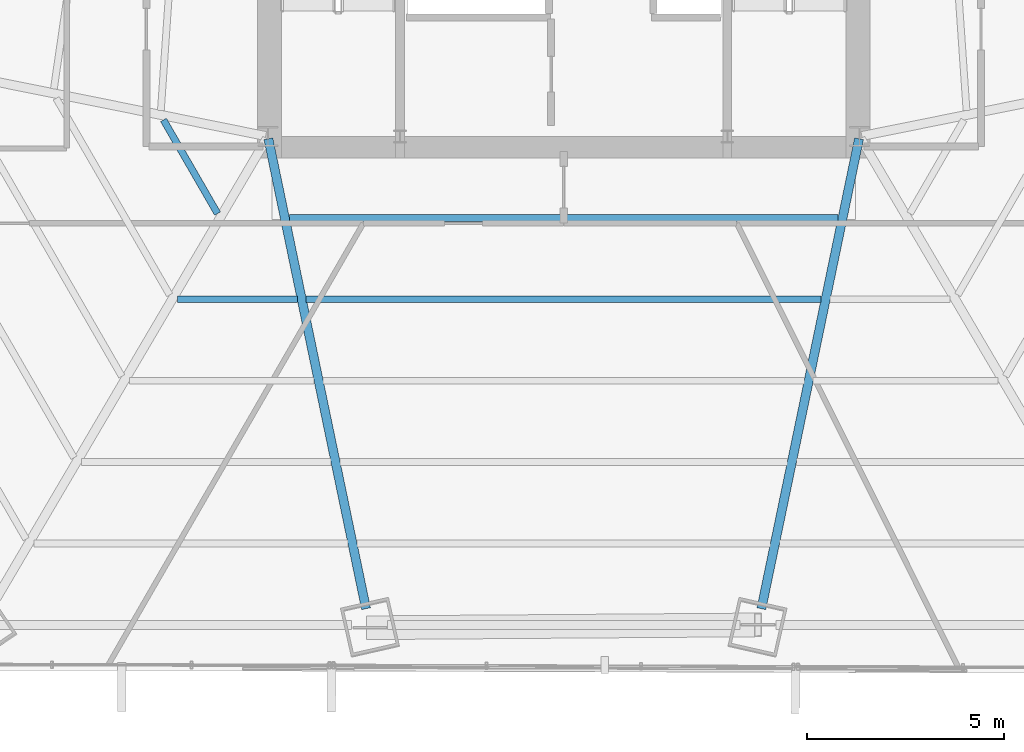
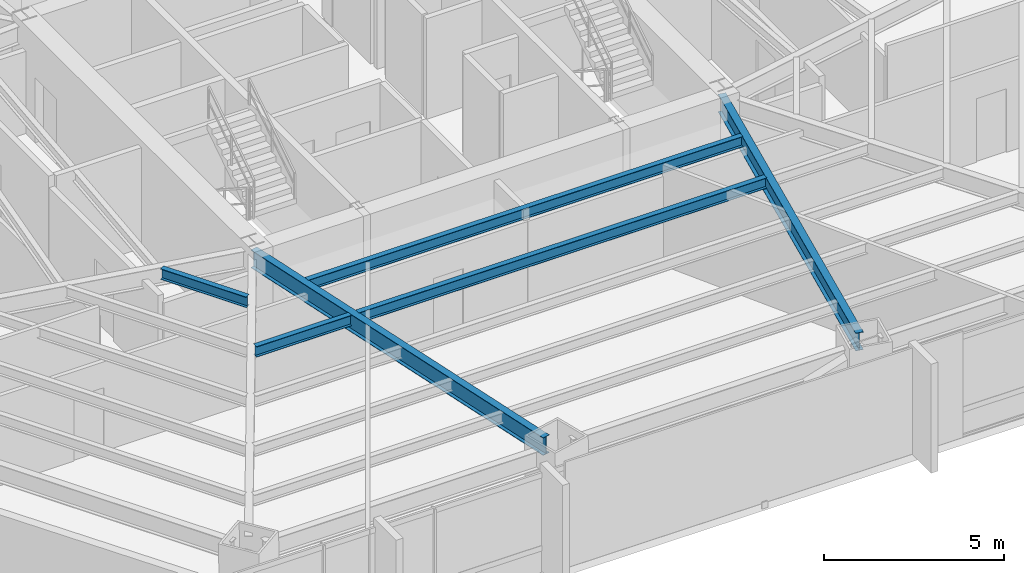
# One storey, part 7 of 33: 6 beams.
"""IFC4 building model written with IfcOpenShell, lengths in metres."""

from ifc_helpers import new_model, si_unit, direction, frame, origin, origin_2d, place, context, subcontext, project, spatial, i_section, extrude, source, transform, mapped, material, material_profile, profile_set, type_object, type_shapes, element, save


model = new_model("IFC4")

# Units and contexts
model_context = context("Model", 3, precision=1e-05, world=origin(), true_north=direction((0.0, 1.0)))
body_context = subcontext(model_context, "Body", "Model", "MODEL_VIEW")
ifc_project = project(units=[si_unit("LENGTHUNIT", "METRE"), si_unit("AREAUNIT", "SQUARE_METRE"), si_unit("VOLUMEUNIT", "CUBIC_METRE"), si_unit("PLANEANGLEUNIT", "RADIAN"), si_unit("MASSUNIT", "GRAM", prefix="KILO")], contexts=[model_context])

# Site, building, storey
site_placement = place(None, origin())
site = spatial("IfcSite", under=ifc_project, at=site_placement, CompositionType="ELEMENT")
building_placement = place(site_placement, origin())
building = spatial("IfcBuilding", under=site, at=building_placement, Name="Caelisora Broadcast Tower", CompositionType="ELEMENT")
storey_placement = place(building_placement, frame((0.0, 0.0, 34.89990234375)))
storey = spatial("IfcBuildingStorey", under=building, at=storey_placement, Name="L08", CompositionType="ELEMENT", Elevation=34.89990234375)

# Beams
ifc_material = material(Name="Steel Grade 350 (AS/NZS 3679.1)", Category="steel")
ifc_material_profile_1 = material_profile(ifc_material, i_section(OverallWidth=0.22802734375, OverallDepth=0.602294921875, WebThickness=0.010498046875, FlangeThickness=0.014892578125, at=origin_2d()), Name="Steel Grade 350 (AS/NZS 3679.1)")
ifc_profile_set_1 = profile_set([ifc_material_profile_1], Name="Steel Grade 350 (AS/NZS 3679.1)")
beam_type_1 = type_object("IfcBeamType", Name="PG04", PredefinedType="BEAM", material=ifc_profile_set_1)
shared_shape_1 = source(origin(), body_context, "Body", "SweptSolid", [
    extrude(i_section(OverallWidth=0.22802734375, OverallDepth=0.602294921875, WebThickness=0.010498046875, FlangeThickness=0.014892578125, at=origin_2d()), origin(), (0.0, 0.0, 1.0), 12.167724609375),
])
type_shapes(beam_type_1, [shared_shape_1])
for number, where, z_axis, x_axis, name in (
    (1, (30.51220703125, 17.34130859375, 3.098876953125), (0.203453450983, -0.979084620083, 0.0), (0.979084620083, 0.203453450983, 0.0), "L08 beam PG04"),
    (2, (45.48779296875, 17.34130859375, 3.098876953125), (-0.203453450983, -0.979084620083, 0.0), (0.979084620083, -0.203453450983, 0.0), "L08 beam PG04"),
):
    element("IfcBeam", number, at=place(storey_placement, frame(where, z_axis=z_axis, x_axis=x_axis)), inside=storey, type_object=beam_type_1, Name=name, PredefinedType="BEAM", context=body_context, shape_type="MappedRepresentation", body=[
        mapped(shared_shape_1, transform((0.0, 0.0, 0.0), scale=1.0)),
    ])
ifc_material_profile_2 = material_profile(ifc_material, i_section(OverallWidth=0.172119140625, OverallDepth=0.358642578125, WebThickness=0.008056640625, FlangeThickness=0.012939453125, at=origin_2d()), Name="Steel Grade 350 (AS/NZS 3679.1)")
ifc_profile_set_2 = profile_set([ifc_material_profile_2], Name="Steel Grade 350 (AS/NZS 3679.1)")
beam_type_2 = type_object("IfcBeamType", Name="SB02", PredefinedType="JOIST", material=ifc_profile_set_2)
shared_shape_2 = source(origin(), body_context, "Body", "SweptSolid", [
    extrude(i_section(OverallWidth=0.172119140625, OverallDepth=0.358642578125, WebThickness=0.008056640625, FlangeThickness=0.012939453125, at=origin_2d()), origin(), (0.0, 0.0, 1.0), 2.73974609375),
])
beam_1_placement = place(storey_placement, frame((27.852783203125, 17.819580078125, 3.220703125), z_axis=(0.500020724563, -0.866013438122, 0.0), x_axis=(0.866013438122, 0.500020724563, 0.0)))
element("IfcBeam", 3, at=beam_1_placement, inside=storey, type_object=beam_type_2, Name="L08 beam SB02", PredefinedType="JOIST", context=body_context, shape_type="MappedRepresentation", body=[
    mapped(shared_shape_2, transform((0.0, 0.0, 0.0), scale=1.0)),
])
shared_shape_3 = source(origin(), body_context, "Body", "SweptSolid", [
    extrude(i_section(OverallWidth=0.172119140625, OverallDepth=0.358642578125, WebThickness=0.008056640625, FlangeThickness=0.012939453125, at=origin_2d()), origin(), (0.0, 0.0, 1.0), 3.041748046875),
])
beam_2_placement = place(storey_placement, frame((28.20263671875, 13.272216796875, 3.220703125), z_axis=(1.0, 0.0, 0.0), x_axis=(0.0, 1.0, 0.0)))
element("IfcBeam", 4, at=beam_2_placement, inside=storey, type_object=beam_type_2, Name="L08 beam SB02", PredefinedType="JOIST", context=body_context, shape_type="MappedRepresentation", body=[
    mapped(shared_shape_3, transform((0.0, 0.0, 0.0), scale=1.0)),
])
shared_shape_4 = source(origin(), body_context, "Body", "SweptSolid", [
    extrude(i_section(OverallWidth=0.172119140625, OverallDepth=0.358642578125, WebThickness=0.008056640625, FlangeThickness=0.012939453125, at=origin_2d()), origin(), (0.0, 0.0, 1.0), 13.91552734375),
])
beam_3_placement = place(storey_placement, frame((31.042236328125, 15.336181640625, 3.220703125), z_axis=(1.0, 0.0, 0.0), x_axis=(0.0, 1.0, 0.0)))
element("IfcBeam", 5, at=beam_3_placement, inside=storey, type_object=beam_type_2, Name="L08 beam SB02", PredefinedType="JOIST", context=body_context, shape_type="MappedRepresentation", body=[
    mapped(shared_shape_4, transform((0.0, 0.0, 0.0), scale=1.0)),
])
shared_shape_5 = source(origin(), body_context, "Body", "SweptSolid", [
    extrude(i_section(OverallWidth=0.172119140625, OverallDepth=0.358642578125, WebThickness=0.008056640625, FlangeThickness=0.012939453125, at=origin_2d()), origin(), (0.0, 0.0, 1.0), 13.0576171875),
])
type_shapes(beam_type_2, [shared_shape_2, shared_shape_3, shared_shape_4, shared_shape_5])
beam_4_placement = place(storey_placement, frame((31.47119140625, 13.272216796875, 3.220703125), z_axis=(1.0, 0.0, 0.0), x_axis=(0.0, 1.0, 0.0)))
element("IfcBeam", 6, at=beam_4_placement, inside=storey, type_object=beam_type_2, Name="L08 beam SB02", PredefinedType="JOIST", context=body_context, shape_type="MappedRepresentation", body=[
    mapped(shared_shape_5, transform((0.0, 0.0, 0.0), scale=1.0)),
])

save(model, "model.ifc")
